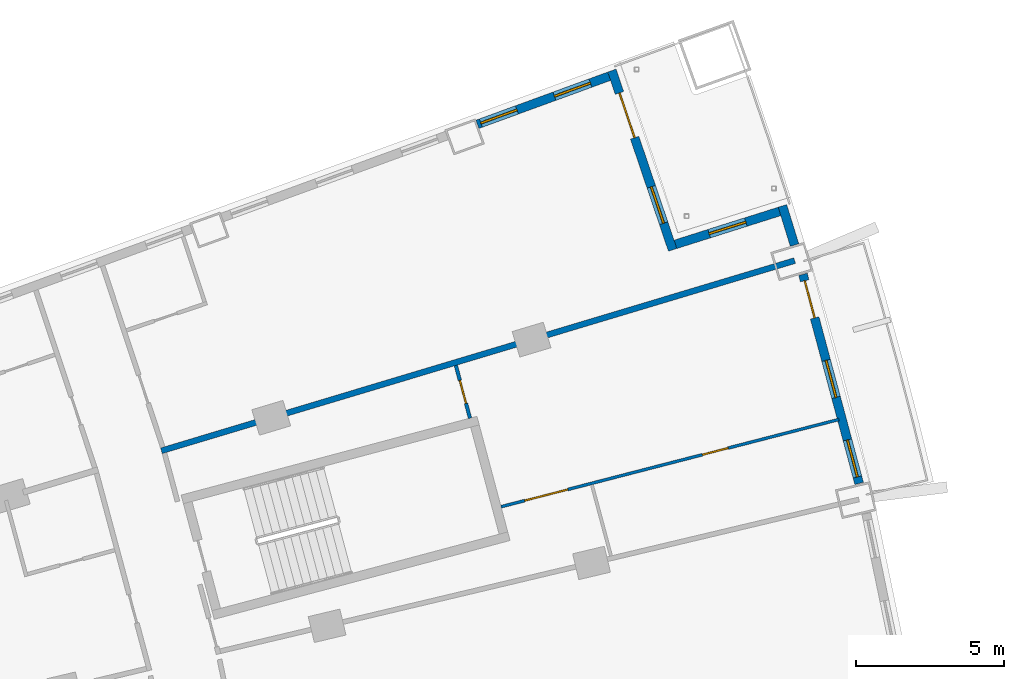
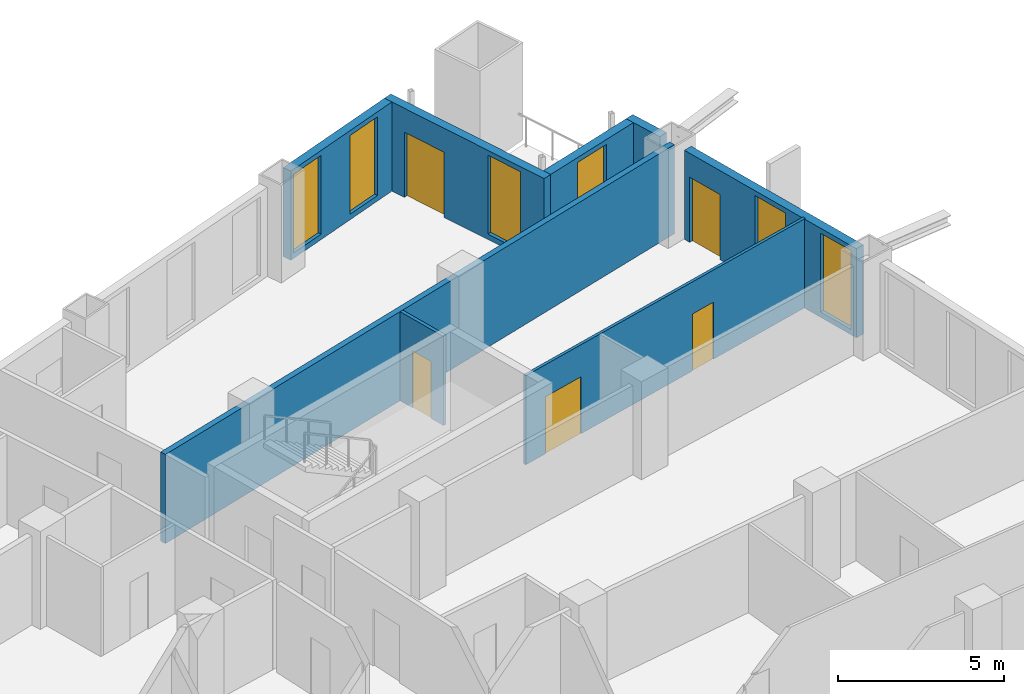
# One storey, part 21 of 25: 8 walls, 6 windows, 5 doors, 11 openings.
"""IFC4 building model written with IfcOpenShell, lengths in metres."""

from ifc_helpers import new_model, si_unit, direction, frame, frame_2d, origin, place, context, subcontext, project, spatial, rectangle, extrude, material, layer, layer_set, type_object, element, fill, save


model = new_model("IFC4")

# Units and contexts
model_context = context("Model", 3, precision=1e-05, world=origin(), true_north=direction((0.0, 1.0)))
body_context = subcontext(model_context, "Body", "Model", "MODEL_VIEW")
ifc_project = project(units=[si_unit("LENGTHUNIT", "METRE"), si_unit("AREAUNIT", "SQUARE_METRE"), si_unit("VOLUMEUNIT", "CUBIC_METRE"), si_unit("PLANEANGLEUNIT", "RADIAN"), si_unit("MASSUNIT", "GRAM", prefix="KILO")], contexts=[model_context])

# Site, building, storey
site_placement = place(None, origin())
site = spatial("IfcSite", under=ifc_project, at=site_placement, CompositionType="ELEMENT")
building_placement = place(site_placement, origin())
building = spatial("IfcBuilding", under=site, at=building_placement, Name="Alderwake Tower", CompositionType="ELEMENT")
storey_placement = place(building_placement, frame((0.0, 0.0, 35.60009765625)))
storey = spatial("IfcBuildingStorey", under=building, at=storey_placement, Name="L07", CompositionType="ELEMENT", Elevation=35.60009765625)

# Wall, openings, door, windows
ifc_material_1 = material(Name="Precast concrete C50/60 spandrel panel", Category="concrete")
ifc_layer_1 = layer(ifc_material_1, 0.300048828125)
ifc_layer_set_1 = layer_set([ifc_layer_1], Name="External wall EW1 Precast concrete C50/60 spandrel")
wall_type_1 = type_object("IfcWallType", Name="External wall EW1 Precast concrete C50/60 spandrel", PredefinedType="SOLIDWALL", material=ifc_layer_set_1)
wall_1_placement = place(storey_placement, frame((59.62109375, 94.7216796875, 0.0), z_axis=(0.0, 0.0, 1.0), x_axis=(-0.259490825488, 0.965745572854, 0.0)))
wall_1 = element("IfcWall", 1, at=wall_1_placement, inside=storey, type_object=wall_type_1, Name="External wall 21", PredefinedType="SOLIDWALL", context=body_context, shape_type="SweptSolid", body=[
    extrude(rectangle(XDim=7.3291015625, YDim=0.300048828125, at=frame_2d((3.66455078125, 0.0))), origin(), (0.0, 0.0, 1.0), 3.27978515625),
])
opening_1_placement = place(wall_1_placement, frame((0.226806640625, 0.0, 0.199951171875)))
opening_1 = element("IfcOpeningElement", 2, at=opening_1_placement, cuts=wall_1, Name="Opening W1", PredefinedType="OPENING", context=body_context, shape_type="SweptSolid", body=[
    extrude(rectangle(XDim=1.300048828125, YDim=2.89990234375, at=frame_2d((0.64990234375, 1.449951171875))), frame((0.0, 0.159912109375, 0.0), z_axis=(0.0, -1.0, 0.0), x_axis=(1.0, 0.0, 0.0)), (0.0, 0.0, 1.0), 0.320068359375),
])
opening_2_placement = place(wall_1_placement, frame((3.0146484375, 0.0, 0.199951171875)))
opening_2 = element("IfcOpeningElement", 3, at=opening_2_placement, cuts=wall_1, Name="Opening W1", PredefinedType="OPENING", context=body_context, shape_type="SweptSolid", body=[
    extrude(rectangle(XDim=1.300048828125, YDim=2.89990234375, at=frame_2d((0.64990234375, 1.449951171875))), frame((0.0, 0.159912109375, 0.0), z_axis=(0.0, -1.0, 0.0), x_axis=(1.0, 0.0, 0.0)), (0.0, 0.0, 1.0), 0.320068359375),
])
opening_3_placement = place(wall_1_placement, frame((5.802490234375, 0.0, 0.0)))
opening_3 = element("IfcOpeningElement", 4, at=opening_3_placement, cuts=wall_1, Name="Opening D11", PredefinedType="OPENING", context=body_context, shape_type="SweptSolid", body=[
    extrude(rectangle(XDim=1.300048828125, YDim=2.39990234375, at=frame_2d((0.64990234375, 1.199951171875))), frame((0.0, 0.159912109375, 0.0), z_axis=(0.0, -1.0, 0.0), x_axis=(1.0, 0.0, 0.0)), (0.0, 0.0, 1.0), 0.320068359375),
])
ifc_material_2 = material(Name="Bronze tinted glass in aluminium frame", Category="aluminium")
door_type_1 = type_object("IfcDoorType", Name="Balcony door BD sliding", OperationType="SLIDING_TO_LEFT", PredefinedType="DOOR", material=ifc_material_2)
door_1_placement = place(opening_3_placement, origin())
door_1 = element("IfcDoor", 5, at=door_1_placement, inside=storey, type_object=door_type_1, Name="Door D11", OperationType="SLIDING_TO_LEFT", OverallHeight=2.39990234375, OverallWidth=1.300048828125, PredefinedType="DOOR", context=body_context, shape_type="SweptSolid", body=[
    extrude(rectangle(XDim=1.300048828125, YDim=2.39990234375, at=frame_2d((0.64990234375, 1.199951171875))), frame((0.0, 0.02490234375, 0.0), z_axis=(0.0, -1.0, 0.0), x_axis=(1.0, 0.0, 0.0)), (0.0, 0.0, 1.0), 0.050048828125),
])
fill(opening_3, door_1)
ifc_material_3 = material(Name="Bronze tinted glass in aluminium frame", Category="aluminium")
window_type = type_object("IfcWindowType", Name="Window W1 tall fixed and vent", PartitioningType="DOUBLE_PANEL_VERTICAL", PredefinedType="WINDOW", material=ifc_material_3)
window_1_placement = place(opening_1_placement, origin())
window_1 = element("IfcWindow", 6, at=window_1_placement, inside=storey, type_object=window_type, Name="Window W1 tall fixed and vent", OverallHeight=2.89990234375, OverallWidth=1.300048828125, PartitioningType="DOUBLE_PANEL_VERTICAL", PredefinedType="WINDOW", context=body_context, shape_type="SweptSolid", body=[
    extrude(rectangle(XDim=1.300048828125, YDim=2.89990234375, at=frame_2d((0.64990234375, 1.449951171875))), frame((0.0, 0.030029296875, 0.0), z_axis=(0.0, -1.0, 0.0), x_axis=(1.0, 0.0, 0.0)), (0.0, 0.0, 1.0), 0.06005859375),
])
fill(opening_1, window_1)
window_2_placement = place(opening_2_placement, origin())
window_2 = element("IfcWindow", 7, at=window_2_placement, inside=storey, type_object=window_type, Name="Window W1 tall fixed and vent", OverallHeight=2.89990234375, OverallWidth=1.300048828125, PartitioningType="DOUBLE_PANEL_VERTICAL", PredefinedType="WINDOW", context=body_context, shape_type="SweptSolid", body=[
    extrude(rectangle(XDim=1.300048828125, YDim=2.89990234375, at=frame_2d((0.64990234375, 1.449951171875))), frame((0.0, 0.030029296875, 0.0), z_axis=(0.0, -1.0, 0.0), x_axis=(1.0, 0.0, 0.0)), (0.0, 0.0, 1.0), 0.06005859375),
])
fill(opening_2, window_2)

# Wall
wall_2_placement = place(storey_placement, frame((57.43408203125, 102.790283203125, 0.0), z_axis=(0.0, 0.0, 1.0), x_axis=(-0.294678837425, 0.955596349289, 0.0)))
element("IfcWall", 8, at=wall_2_placement, inside=storey, type_object=wall_type_1, Name="External wall 22", PredefinedType="SOLIDWALL", context=body_context, shape_type="SweptSolid", body=[
    extrude(rectangle(XDim=1.388671875, YDim=0.300048828125, at=frame_2d((0.6943359375, 0.0))), origin(), (0.0, 0.0, 1.0), 3.27978515625),
])

# Wall, opening, window
ifc_material_4 = material(Name="Bronze metal cladding on lightweight framing")
ifc_layer_2 = layer(ifc_material_4, 0.300048828125)
ifc_layer_set_2 = layer_set([ifc_layer_2], Name="External wall EW2 bronze metal cladding")
wall_type_2 = type_object("IfcWallType", Name="External wall EW2 bronze metal cladding", PredefinedType="SOLIDWALL", material=ifc_layer_set_2)
wall_3_placement = place(storey_placement, frame((56.926025390625, 103.9287109375, 0.0), z_axis=(0.0, 0.0, 1.0), x_axis=(-0.953466730622, -0.301498248083, 0.0)))
wall_3 = element("IfcWall", 9, at=wall_3_placement, inside=storey, type_object=wall_type_2, Name="External wall 23", PredefinedType="SOLIDWALL", context=body_context, shape_type="SweptSolid", body=[
    extrude(rectangle(XDim=3.694091796875, YDim=0.300048828125, at=frame_2d((1.84716796875, 0.0))), origin(), (0.0, 0.0, 1.0), 3.27978515625),
])
opening_4_placement = place(wall_3_placement, frame((1.197021484375, 0.0, 0.199951171875)))
opening_4 = element("IfcOpeningElement", 10, at=opening_4_placement, cuts=wall_3, Name="Opening W1", PredefinedType="OPENING", context=body_context, shape_type="SweptSolid", body=[
    extrude(rectangle(XDim=1.300048828125, YDim=2.89990234375, at=frame_2d((0.64990234375, 1.449951171875))), frame((0.0, 0.159912109375, 0.0), z_axis=(0.0, -1.0, 0.0), x_axis=(1.0, 0.0, 0.0)), (0.0, 0.0, 1.0), 0.320068359375),
])
window_3_placement = place(opening_4_placement, origin())
window_3 = element("IfcWindow", 11, at=window_3_placement, inside=storey, type_object=window_type, Name="Window W1 tall fixed and vent", OverallHeight=2.89990234375, OverallWidth=1.300048828125, PartitioningType="DOUBLE_PANEL_VERTICAL", PredefinedType="WINDOW", context=body_context, shape_type="SweptSolid", body=[
    extrude(rectangle(XDim=1.300048828125, YDim=2.89990234375, at=frame_2d((0.64990234375, 1.449951171875))), frame((0.0, 0.030029296875, 0.0), z_axis=(0.0, -1.0, 0.0), x_axis=(1.0, 0.0, 0.0)), (0.0, 0.0, 1.0), 0.06005859375),
])
fill(opening_4, window_3)

# Wall, openings, door, window
wall_4_placement = place(storey_placement, frame((53.308837890625, 102.627685546875, 0.0), z_axis=(0.0, 0.0, 1.0), x_axis=(-0.320897976071, 0.947113767693, 0.0)))
wall_4 = element("IfcWall", 12, at=wall_4_placement, inside=storey, type_object=wall_type_2, Name="External wall 24", PredefinedType="SOLIDWALL", context=body_context, shape_type="SweptSolid", body=[
    extrude(rectangle(XDim=6.408935546875, YDim=0.300048828125, at=frame_2d((3.20458984375, 0.0))), origin(), (0.0, 0.0, 1.0), 3.27978515625),
])
opening_5_placement = place(wall_4_placement, frame((0.952392578125, 0.0, 0.199951171875)))
opening_5 = element("IfcOpeningElement", 13, at=opening_5_placement, cuts=wall_4, Name="Opening W1", PredefinedType="OPENING", context=body_context, shape_type="SweptSolid", body=[
    extrude(rectangle(XDim=1.300048828125, YDim=2.89990234375, at=frame_2d((0.64990234375, 1.449951171875))), frame((0.0, 0.159912109375, 0.0), z_axis=(0.0, -1.0, 0.0), x_axis=(1.0, 0.0, 0.0)), (0.0, 0.0, 1.0), 0.320068359375),
])
opening_6_placement = place(wall_4_placement, frame((4.0068359375, 0.0, 0.0)))
opening_6 = element("IfcOpeningElement", 14, at=opening_6_placement, cuts=wall_4, Name="Opening D12", PredefinedType="OPENING", context=body_context, shape_type="SweptSolid", body=[
    extrude(rectangle(XDim=1.60009765625, YDim=2.39990234375, at=frame_2d((0.800048828125, 1.199951171875))), frame((0.0, 0.159912109375, 0.0), z_axis=(0.0, -1.0, 0.0), x_axis=(1.0, 0.0, 0.0)), (0.0, 0.0, 1.0), 0.320068359375),
])
ifc_material_5 = material(Name="Bronze tinted glass in aluminium frame", Category="aluminium")
door_type_2 = type_object("IfcDoorType", Name="Terrace door TD sliding", OperationType="SLIDING_TO_LEFT", PredefinedType="DOOR", material=ifc_material_5)
door_2_placement = place(opening_6_placement, origin())
door_2 = element("IfcDoor", 15, at=door_2_placement, inside=storey, type_object=door_type_2, Name="Door D12", OperationType="SLIDING_TO_LEFT", OverallHeight=2.39990234375, OverallWidth=1.60009765625, PredefinedType="DOOR", context=body_context, shape_type="SweptSolid", body=[
    extrude(rectangle(XDim=1.60009765625, YDim=2.39990234375, at=frame_2d((0.800048828125, 1.199951171875))), frame((0.0, 0.02490234375, 0.0), z_axis=(0.0, -1.0, 0.0), x_axis=(1.0, 0.0, 0.0)), (0.0, 0.0, 1.0), 0.050048828125),
])
fill(opening_6, door_2)
window_4_placement = place(opening_5_placement, origin())
window_4 = element("IfcWindow", 16, at=window_4_placement, inside=storey, type_object=window_type, Name="Window W1 tall fixed and vent", OverallHeight=2.89990234375, OverallWidth=1.300048828125, PartitioningType="DOUBLE_PANEL_VERTICAL", PredefinedType="WINDOW", context=body_context, shape_type="SweptSolid", body=[
    extrude(rectangle(XDim=1.300048828125, YDim=2.89990234375, at=frame_2d((0.64990234375, 1.449951171875))), frame((0.0, 0.030029296875, 0.0), z_axis=(0.0, -1.0, 0.0), x_axis=(1.0, 0.0, 0.0)), (0.0, 0.0, 1.0), 0.06005859375),
])
fill(opening_5, window_4)

# Wall, openings, windows
wall_5_placement = place(storey_placement, frame((51.159423828125, 108.50439453125, 0.0), z_axis=(0.0, 0.0, 1.0), x_axis=(-0.939369156015, -0.342907551284, 0.0)))
wall_5 = element("IfcWall", 17, at=wall_5_placement, inside=storey, type_object=wall_type_2, Name="External wall 25", PredefinedType="SOLIDWALL", context=body_context, shape_type="SweptSolid", body=[
    extrude(rectangle(XDim=4.74609375, YDim=0.300048828125, at=frame_2d((2.373046875, 0.0))), origin(), (0.0, 0.0, 1.0), 3.27978515625),
])
opening_7_placement = place(wall_5_placement, frame((0.674560546875, 0.0, 0.199951171875)))
opening_7 = element("IfcOpeningElement", 18, at=opening_7_placement, cuts=wall_5, Name="Opening W1", PredefinedType="OPENING", context=body_context, shape_type="SweptSolid", body=[
    extrude(rectangle(XDim=1.300048828125, YDim=2.89990234375, at=frame_2d((0.64990234375, 1.449951171875))), frame((0.0, 0.159912109375, 0.0), z_axis=(0.0, -1.0, 0.0), x_axis=(1.0, 0.0, 0.0)), (0.0, 0.0, 1.0), 0.320068359375),
])
opening_8_placement = place(wall_5_placement, frame((3.323486328125, 0.0, 0.199951171875)))
opening_8 = element("IfcOpeningElement", 19, at=opening_8_placement, cuts=wall_5, Name="Opening W1", PredefinedType="OPENING", context=body_context, shape_type="SweptSolid", body=[
    extrude(rectangle(XDim=1.300048828125, YDim=2.89990234375, at=frame_2d((0.64990234375, 1.449951171875))), frame((0.0, 0.159912109375, 0.0), z_axis=(0.0, -1.0, 0.0), x_axis=(1.0, 0.0, 0.0)), (0.0, 0.0, 1.0), 0.320068359375),
])
window_5_placement = place(opening_7_placement, origin())
window_5 = element("IfcWindow", 20, at=window_5_placement, inside=storey, type_object=window_type, Name="Window W1 tall fixed and vent", OverallHeight=2.89990234375, OverallWidth=1.300048828125, PartitioningType="DOUBLE_PANEL_VERTICAL", PredefinedType="WINDOW", context=body_context, shape_type="SweptSolid", body=[
    extrude(rectangle(XDim=1.300048828125, YDim=2.89990234375, at=frame_2d((0.64990234375, 1.449951171875))), frame((0.0, 0.030029296875, 0.0), z_axis=(0.0, -1.0, 0.0), x_axis=(1.0, 0.0, 0.0)), (0.0, 0.0, 1.0), 0.06005859375),
])
fill(opening_7, window_5)
window_6_placement = place(opening_8_placement, origin())
window_6 = element("IfcWindow", 21, at=window_6_placement, inside=storey, type_object=window_type, Name="Window W1 tall fixed and vent", OverallHeight=2.89990234375, OverallWidth=1.300048828125, PartitioningType="DOUBLE_PANEL_VERTICAL", PredefinedType="WINDOW", context=body_context, shape_type="SweptSolid", body=[
    extrude(rectangle(XDim=1.300048828125, YDim=2.89990234375, at=frame_2d((0.64990234375, 1.449951171875))), frame((0.0, 0.030029296875, 0.0), z_axis=(0.0, -1.0, 0.0), x_axis=(1.0, 0.0, 0.0)), (0.0, 0.0, 1.0), 0.06005859375),
])
fill(opening_8, window_6)

# Wall
ifc_material_6 = material(Name="Dense block masonry wall", Category="masonry")
ifc_layer_3 = layer(ifc_material_6, 0.199951171875)
ifc_layer_set_3 = layer_set([ifc_layer_3], Name="Party wall 200")
wall_type_3 = type_object("IfcWallType", Name="Party wall 200", PredefinedType="SOLIDWALL", material=ifc_layer_set_3)
wall_6_placement = place(storey_placement, frame((57.43798828125, 102.263916015625, 0.0), z_axis=(0.0, 0.0, 1.0), x_axis=(-0.957740971091, -0.287632112764, 0.0)))
element("IfcWall", 22, at=wall_6_placement, inside=storey, type_object=wall_type_3, Name="WL/L07/W07", PredefinedType="SOLIDWALL", context=body_context, shape_type="SweptSolid", body=[
    extrude(rectangle(XDim=22.37939453125, YDim=0.199951171875, at=frame_2d((11.189697265625, 0.0))), origin(), (0.0, 0.0, 1.0), 3.27978515625),
])

# Wall, openings, doors
ifc_material_7 = material(Name="Gypsum board on metal studs")
ifc_layer_4 = layer(ifc_material_7, 0.10009765625)
ifc_layer_set_4 = layer_set([ifc_layer_4], Name="Unit partition 100")
wall_type_4 = type_object("IfcWallType", Name="Unit partition 100", PredefinedType="PARTITIONING", material=ifc_layer_set_4)
wall_7_placement = place(storey_placement, frame((47.4990234375, 93.93310546875, 0.0), z_axis=(0.0, 0.0, 1.0), x_axis=(0.968219073659, 0.250103629327, 0.0)))
wall_7 = element("IfcWall", 23, at=wall_7_placement, inside=storey, type_object=wall_type_4, Name="WL/L07/W75", PredefinedType="PARTITIONING", context=body_context, shape_type="SweptSolid", body=[
    extrude(rectangle(XDim=11.814453125, YDim=0.10009765625, at=frame_2d((5.9072265625, 0.0))), origin(), (0.0, 0.0, 1.0), 3.27978515625),
])
opening_9_placement = place(wall_7_placement, frame((0.831787109375, 0.0, 0.0)))
opening_9 = element("IfcOpeningElement", 24, at=opening_9_placement, cuts=wall_7, Name="Opening R01-U02.2", PredefinedType="OPENING", context=body_context, shape_type="SweptSolid", body=[
    extrude(rectangle(XDim=1.5, YDim=2.10009765625, at=frame_2d((0.75, 1.050048828125))), frame((0.0, 0.06005859375, 0.0), z_axis=(0.0, -1.0, 0.0), x_axis=(1.0, 0.0, 0.0)), (0.0, 0.0, 1.0), 0.1201171875),
])
opening_10_placement = place(wall_7_placement, frame((7.0380859375, 0.0, 0.0)))
opening_10 = element("IfcOpeningElement", 25, at=opening_10_placement, cuts=wall_7, Name="Opening R01-U02.3", PredefinedType="OPENING", context=body_context, shape_type="SweptSolid", body=[
    extrude(rectangle(XDim=0.89990234375, YDim=2.10009765625, at=frame_2d((0.449951171875, 1.050048828125))), frame((0.0, 0.06005859375, 0.0), z_axis=(0.0, -1.0, 0.0), x_axis=(1.0, 0.0, 0.0)), (0.0, 0.0, 1.0), 0.1201171875),
])
ifc_material_8 = material(Name="Painted timber leaves", Category="wood")
door_type_3 = type_object("IfcDoorType", Name="Double leaf door 1500", OperationType="DOUBLE_DOOR_SINGLE_SWING", PredefinedType="DOOR", material=ifc_material_8)
door_3_placement = place(opening_9_placement, origin())
door_3 = element("IfcDoor", 26, at=door_3_placement, inside=storey, type_object=door_type_3, Name="DR/L07/U02.2", OperationType="DOUBLE_DOOR_SINGLE_SWING", OverallHeight=2.10009765625, OverallWidth=1.5, PredefinedType="DOOR", context=body_context, shape_type="SweptSolid", body=[
    extrude(rectangle(XDim=1.5, YDim=2.10009765625, at=frame_2d((0.75, 1.050048828125))), frame((0.0, 0.02490234375, 0.0), z_axis=(0.0, -1.0, 0.0), x_axis=(1.0, 0.0, 0.0)), (0.0, 0.0, 1.0), 0.050048828125),
])
fill(opening_9, door_3)
ifc_material_9 = material(Name="Painted timber leaf", Category="wood")
door_type_4 = type_object("IfcDoorType", Name="Room door 900", OperationType="SINGLE_SWING_LEFT", PredefinedType="DOOR", material=ifc_material_9)
door_4_placement = place(opening_10_placement, origin())
door_4 = element("IfcDoor", 27, at=door_4_placement, inside=storey, type_object=door_type_4, Name="DR/L07/U02.3", OperationType="SINGLE_SWING_LEFT", OverallHeight=2.10009765625, OverallWidth=0.89990234375, PredefinedType="DOOR", context=body_context, shape_type="SweptSolid", body=[
    extrude(rectangle(XDim=0.89990234375, YDim=2.10009765625, at=frame_2d((0.449951171875, 1.050048828125))), frame((0.0, 0.02490234375, 0.0), z_axis=(0.0, -1.0, 0.0), x_axis=(1.0, 0.0, 0.0)), (0.0, 0.0, 1.0), 0.050048828125),
])
fill(opening_10, door_4)

# Wall, opening, door
ifc_material_10 = material(Name="Moisture resistant gypsum board on metal studs")
ifc_layer_5 = layer(ifc_material_10, 0.1201171875)
ifc_layer_set_5 = layer_set([ifc_layer_5], Name="Wet room partition 120")
wall_type_5 = type_object("IfcWallType", Name="Wet room partition 120", PredefinedType="PARTITIONING", material=ifc_layer_set_5)
wall_8_placement = place(storey_placement, frame((46.448974609375, 96.929931640625, 0.0), z_axis=(0.0, 0.0, 1.0), x_axis=(-0.258764710752, 0.965940383497, 0.0)))
wall_8 = element("IfcWall", 28, at=wall_8_placement, inside=storey, type_object=wall_type_5, Name="WL/L07/W63", PredefinedType="PARTITIONING", context=body_context, shape_type="SweptSolid", body=[
    extrude(rectangle(XDim=1.847412109375, YDim=0.1201171875, at=frame_2d((0.923828125, 0.0))), origin(), (0.0, 0.0, 1.0), 3.27978515625),
])
opening_11_placement = place(wall_8_placement, frame((0.524169921875, 0.0, 0.0)))
opening_11 = element("IfcOpeningElement", 29, at=opening_11_placement, cuts=wall_8, Name="Opening R01-U02.4", PredefinedType="OPENING", context=body_context, shape_type="SweptSolid", body=[
    extrude(rectangle(XDim=0.800048828125, YDim=2.10009765625, at=frame_2d((0.39990234375, 1.050048828125))), frame((0.0, 0.070068359375, 0.0), z_axis=(0.0, -1.0, 0.0), x_axis=(1.0, 0.0, 0.0)), (0.0, 0.0, 1.0), 0.14013671875),
])
ifc_material_11 = material(Name="Painted timber leaf", Category="wood")
door_type_5 = type_object("IfcDoorType", Name="Bathroom door 800", OperationType="SINGLE_SWING_LEFT", PredefinedType="DOOR", material=ifc_material_11)
door_5_placement = place(opening_11_placement, origin())
door_5 = element("IfcDoor", 30, at=door_5_placement, inside=storey, type_object=door_type_5, Name="DR/L07/U02.4", OperationType="SINGLE_SWING_LEFT", OverallHeight=2.10009765625, OverallWidth=0.800048828125, PredefinedType="DOOR", context=body_context, shape_type="SweptSolid", body=[
    extrude(rectangle(XDim=0.800048828125, YDim=2.10009765625, at=frame_2d((0.39990234375, 1.050048828125))), frame((0.0, 0.02490234375, 0.0), z_axis=(0.0, -1.0, 0.0), x_axis=(1.0, 0.0, 0.0)), (0.0, 0.0, 1.0), 0.050048828125),
])
fill(opening_11, door_5)

save(model, "model.ifc")
